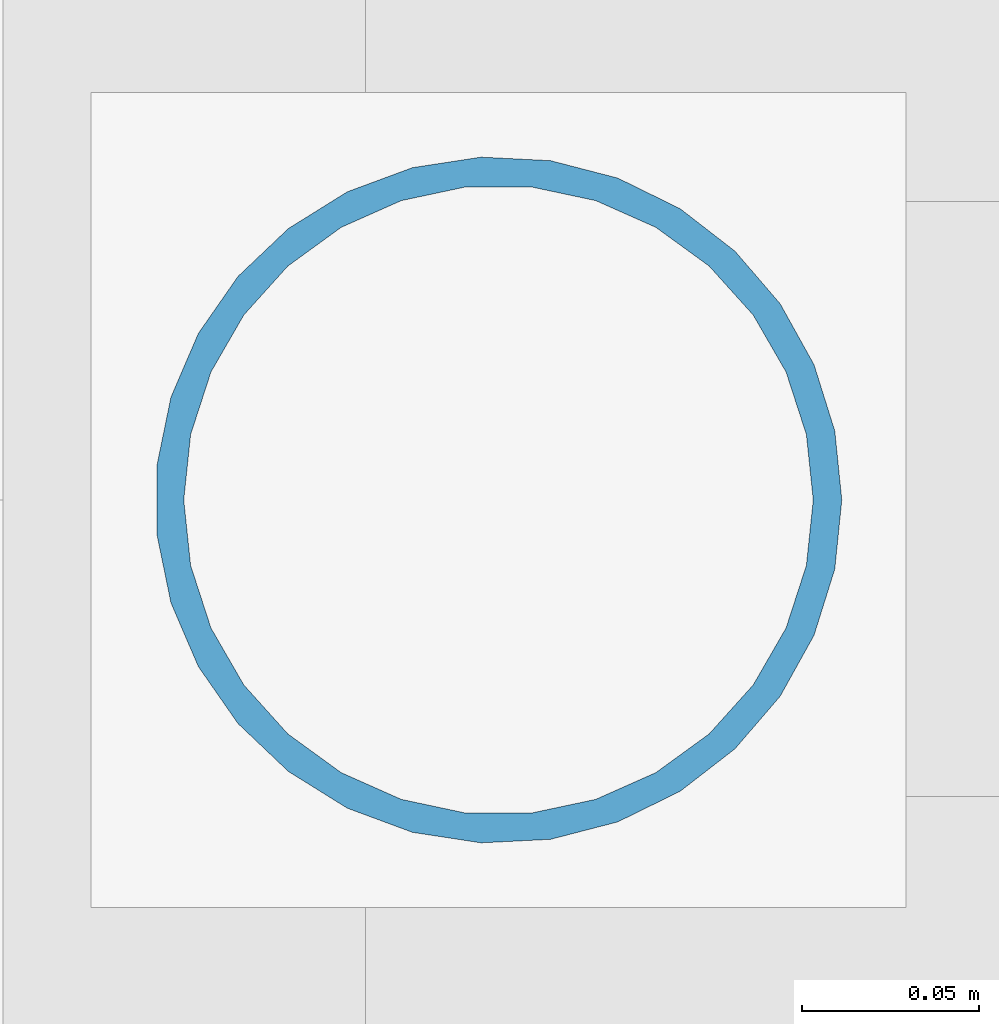
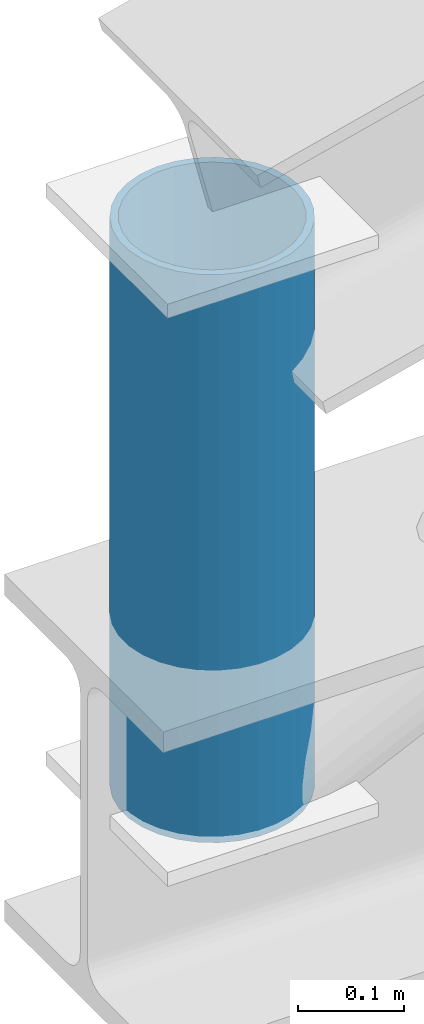
# One storey, part 20 of 33: 1 member.
"""IFC4 building model written with IfcOpenShell, lengths in metres."""

from ifc_helpers import new_model, si_unit, direction, frame, origin, origin_2d, place, context, subcontext, project, spatial, hollow_circle, extrude, material, material_profile, profile_set, type_object, element, save


model = new_model("IFC4")

# Units and contexts
model_context = context("Model", 3, precision=1e-05, world=origin(), true_north=direction((0.0, 1.0)))
body_context = subcontext(model_context, "Body", "Model", "MODEL_VIEW")
ifc_project = project(units=[si_unit("LENGTHUNIT", "METRE"), si_unit("AREAUNIT", "SQUARE_METRE"), si_unit("VOLUMEUNIT", "CUBIC_METRE"), si_unit("PLANEANGLEUNIT", "RADIAN"), si_unit("MASSUNIT", "GRAM", prefix="KILO")], contexts=[model_context])

# Site, building, storey
site_placement = place(None, origin())
site = spatial("IfcSite", under=ifc_project, at=site_placement, CompositionType="ELEMENT")
building_placement = place(site_placement, origin())
building = spatial("IfcBuilding", under=site, at=building_placement, Name="Bozkorgan Art Gallery", CompositionType="ELEMENT")
storey_placement = place(building_placement, frame((0.0, 0.0, 19.5)))
storey = spatial("IfcBuildingStorey", under=building, at=storey_placement, Name="L04", CompositionType="ELEMENT", Elevation=19.5)

# Member
ifc_material = material(Name="Steel S355J2", Category="steel")
ifc_material_profile = material_profile(ifc_material, hollow_circle(Radius=0.096923828125, WallThickness=0.008056640625, at=origin_2d()), Name="CHS 193.7x8")
ifc_profile_set = profile_set([ifc_material_profile], Name="Steel S355J2")
member_type = type_object("IfcMemberType", Name="MEMBER-TP-46", PredefinedType="POST", material=ifc_profile_set)
member_placement = place(storey_placement, frame((143.0, 38.39990234375, 0.199951171875), z_axis=(0.0, 0.0, 1.0), x_axis=(1.0, 0.0, 0.0)))
element("IfcMember", 1, at=member_placement, inside=storey, type_object=member_type, Name="ROOF-V6-MAIN roof truss 5 post 0", PredefinedType="POST", context=body_context, shape_type="SweptSolid", body=[
    extrude(hollow_circle(Radius=0.096923828125, WallThickness=0.008056640625, at=origin_2d()), origin(), (0.0, 0.0, 1.0), 0.655029296875),
])

save(model, "model.ifc")
